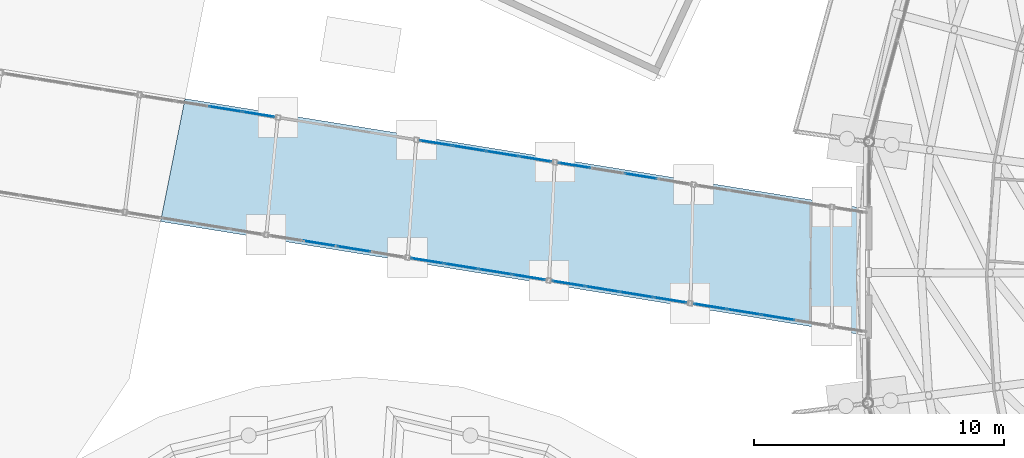
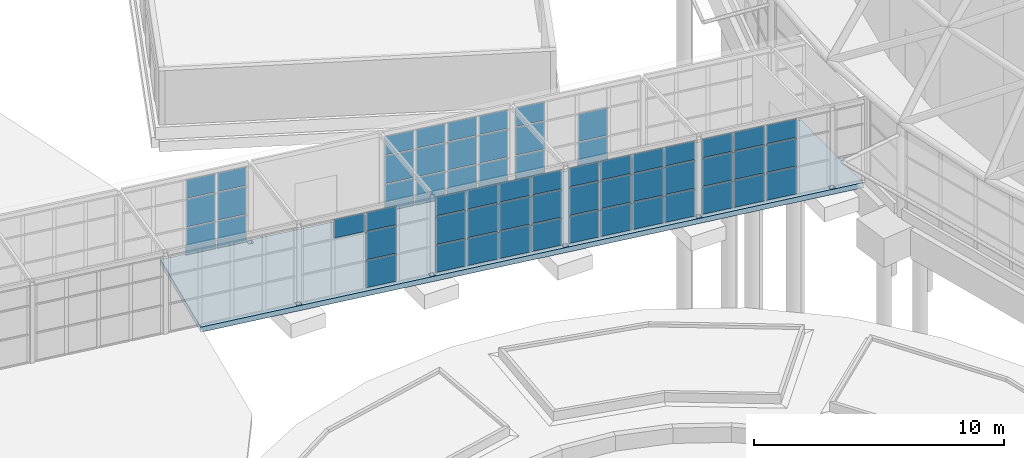
# One storey, part 137 of 226: 60 plates, 1 slab, 7 elements without a shape of their own.
"""IFC4 building model written with IfcOpenShell, lengths in metres."""

from ifc_helpers import new_model, si_unit, direction, frame, origin, origin_2d, place, context, subcontext, project, spatial, polyline, rectangle, outline, extrude, material, layer, layer_set, type_object, element, aggregate, save


model = new_model("IFC4")

# Units and contexts
model_context = context("Model", 3, precision=1e-05, world=origin(), true_north=direction((0.0, 1.0)))
body_context = subcontext(model_context, "Body", "Model", "MODEL_VIEW")
ifc_project = project(units=[si_unit("LENGTHUNIT", "METRE"), si_unit("AREAUNIT", "SQUARE_METRE"), si_unit("VOLUMEUNIT", "CUBIC_METRE"), si_unit("PLANEANGLEUNIT", "RADIAN"), si_unit("MASSUNIT", "GRAM", prefix="KILO")], contexts=[model_context])

# Site, building, storey
site_placement = place(None, origin())
site = spatial("IfcSite", under=ifc_project, at=site_placement, CompositionType="ELEMENT")
building_placement = place(site_placement, origin())
building = spatial("IfcBuilding", under=site, at=building_placement, Name="Ceibo Conservatory and Research Tower", CompositionType="ELEMENT")
storey_placement = place(building_placement, origin())
storey = spatial("IfcBuildingStorey", under=building, at=storey_placement, Name="L00", CompositionType="ELEMENT", Elevation=0.0)

# Curtain wall, plates
ifc_material_1 = material(Name="Aluminium and glass", Category="aluminium")
curtain_wall_type = type_object("IfcCurtainWallType", Name="Gallery curtain wall", PredefinedType="NOTDEFINED", material=ifc_material_1)
curtain_wall_1_placement = place(storey_placement, origin())
curtain_wall_1 = element("IfcCurtainWall", 1, at=curtain_wall_1_placement, inside=storey, type_object=curtain_wall_type, Name="Gallery curtain wall A-RT-CWN02", PredefinedType="NOTDEFINED")
ifc_material_2 = material(Name="Laminated glass", Category="glass")
ifc_layer_1 = layer(ifc_material_2, 0.028076171875)
ifc_layer_set_1 = layer_set([ifc_layer_1], Name="Laminated glass")
plate_type = type_object("IfcPlateType", Name="Gallery glass 28", PredefinedType="CURTAIN_PANEL", material=ifc_layer_set_1)
plate_1_placement = place(storey_placement, frame((112.709716796875, 106.379150390625, 0.06005859375), z_axis=(0.0, 0.0, 1.0), x_axis=(-0.987215515464, 0.159391110254, 0.0)))
plate_1 = element("IfcPlate", 2, at=plate_1_placement, type_object=plate_type, Name="A-RT-CWN02 panel 2.1", PredefinedType="CURTAIN_PANEL", context=body_context, shape_type="SweptSolid", body=[
    extrude(rectangle(XDim=1.319580078125, YDim=0.028076171875, at=origin_2d()), origin(), (0.0, 0.0, 1.0), 1.31005859375),
])
plate_2_placement = place(storey_placement, frame((112.709716796875, 106.379150390625, 1.43017578125), z_axis=(0.0, 0.0, 1.0), x_axis=(-0.987215515464, 0.159391110254, 0.0)))
plate_2 = element("IfcPlate", 3, at=plate_2_placement, type_object=plate_type, Name="A-RT-CWN02 panel 2.2", PredefinedType="CURTAIN_PANEL", context=body_context, shape_type="SweptSolid", body=[
    extrude(rectangle(XDim=1.319580078125, YDim=0.028076171875, at=origin_2d()), origin(), (0.0, 0.0, 1.0), 1.340087890625),
])
plate_3_placement = place(storey_placement, frame((112.709716796875, 106.379150390625, 2.830078125), z_axis=(0.0, 0.0, 1.0), x_axis=(-0.987215515464, 0.159391110254, 0.0)))
plate_3 = element("IfcPlate", 4, at=plate_3_placement, type_object=plate_type, Name="A-RT-CWN02 panel 2.3", PredefinedType="CURTAIN_PANEL", context=body_context, shape_type="SweptSolid", body=[
    extrude(rectangle(XDim=1.319580078125, YDim=0.028076171875, at=origin_2d()), origin(), (0.0, 0.0, 1.0), 0.909912109375),
])
plate_4_placement = place(storey_placement, frame((111.347900390625, 106.59912109375, 0.06005859375), z_axis=(0.0, 0.0, 1.0), x_axis=(-0.987215515464, 0.159391110254, 0.0)))
plate_4 = element("IfcPlate", 5, at=plate_4_placement, type_object=plate_type, Name="A-RT-CWN02 panel 3.1", PredefinedType="CURTAIN_PANEL", context=body_context, shape_type="SweptSolid", body=[
    extrude(rectangle(XDim=1.319580078125, YDim=0.028076171875, at=origin_2d()), origin(), (0.0, 0.0, 1.0), 1.31005859375),
])
plate_5_placement = place(storey_placement, frame((111.347900390625, 106.59912109375, 1.43017578125), z_axis=(0.0, 0.0, 1.0), x_axis=(-0.987215515464, 0.159391110254, 0.0)))
plate_5 = element("IfcPlate", 6, at=plate_5_placement, type_object=plate_type, Name="A-RT-CWN02 panel 3.2", PredefinedType="CURTAIN_PANEL", context=body_context, shape_type="SweptSolid", body=[
    extrude(rectangle(XDim=1.319580078125, YDim=0.028076171875, at=origin_2d()), origin(), (0.0, 0.0, 1.0), 1.340087890625),
])
plate_6_placement = place(storey_placement, frame((111.347900390625, 106.59912109375, 2.830078125), z_axis=(0.0, 0.0, 1.0), x_axis=(-0.987215515464, 0.159391110254, 0.0)))
plate_6 = element("IfcPlate", 7, at=plate_6_placement, type_object=plate_type, Name="A-RT-CWN02 panel 3.3", PredefinedType="CURTAIN_PANEL", context=body_context, shape_type="SweptSolid", body=[
    extrude(rectangle(XDim=1.319580078125, YDim=0.028076171875, at=origin_2d()), origin(), (0.0, 0.0, 1.0), 0.909912109375),
])
plate_7_placement = place(storey_placement, frame((110.000732421875, 106.81640625, 0.06005859375), z_axis=(0.0, 0.0, 1.0), x_axis=(-0.987215515464, 0.159391110254, 0.0)))
plate_7 = element("IfcPlate", 8, at=plate_7_placement, type_object=plate_type, Name="A-RT-CWN02 panel 4.1", PredefinedType="CURTAIN_PANEL", context=body_context, shape_type="SweptSolid", body=[
    extrude(rectangle(XDim=1.28955078125, YDim=0.028076171875, at=origin_2d()), origin(), (0.0, 0.0, 1.0), 1.31005859375),
])
plate_8_placement = place(storey_placement, frame((110.000732421875, 106.81640625, 1.43017578125), z_axis=(0.0, 0.0, 1.0), x_axis=(-0.987215515464, 0.159391110254, 0.0)))
plate_8 = element("IfcPlate", 9, at=plate_8_placement, type_object=plate_type, Name="A-RT-CWN02 panel 4.2", PredefinedType="CURTAIN_PANEL", context=body_context, shape_type="SweptSolid", body=[
    extrude(rectangle(XDim=1.28955078125, YDim=0.028076171875, at=origin_2d()), origin(), (0.0, 0.0, 1.0), 1.340087890625),
])
plate_9_placement = place(storey_placement, frame((110.000732421875, 106.81640625, 2.830078125), z_axis=(0.0, 0.0, 1.0), x_axis=(-0.987215515464, 0.159391110254, 0.0)))
plate_9 = element("IfcPlate", 10, at=plate_9_placement, type_object=plate_type, Name="A-RT-CWN02 panel 4.3", PredefinedType="CURTAIN_PANEL", context=body_context, shape_type="SweptSolid", body=[
    extrude(rectangle(XDim=1.28955078125, YDim=0.028076171875, at=origin_2d()), origin(), (0.0, 0.0, 1.0), 0.909912109375),
])
aggregate(curtain_wall_1, [plate_1, plate_2, plate_3, plate_4, plate_5, plate_6, plate_7, plate_8, plate_9])

curtain_wall_2_placement = place(storey_placement, origin())
curtain_wall_2 = element("IfcCurtainWall", 11, at=curtain_wall_2_placement, inside=storey, type_object=curtain_wall_type, Name="Gallery curtain wall A-RT-CWN03", PredefinedType="NOTDEFINED")
plate_10_placement = place(storey_placement, frame((108.411865234375, 107.072998046875, 0.06005859375), z_axis=(0.0, 0.0, 1.0), x_axis=(-0.987215515464, 0.159391110254, 0.0)))
plate_10 = element("IfcPlate", 12, at=plate_10_placement, type_object=plate_type, Name="A-RT-CWN03 panel 1.1", PredefinedType="CURTAIN_PANEL", context=body_context, shape_type="SweptSolid", body=[
    extrude(rectangle(XDim=1.28955078125, YDim=0.028076171875, at=origin_2d()), origin(), (0.0, 0.0, 1.0), 1.31005859375),
])
plate_11_placement = place(storey_placement, frame((108.411865234375, 107.072998046875, 1.43017578125), z_axis=(0.0, 0.0, 1.0), x_axis=(-0.987215515464, 0.159391110254, 0.0)))
plate_11 = element("IfcPlate", 13, at=plate_11_placement, type_object=plate_type, Name="A-RT-CWN03 panel 1.2", PredefinedType="CURTAIN_PANEL", context=body_context, shape_type="SweptSolid", body=[
    extrude(rectangle(XDim=1.28955078125, YDim=0.028076171875, at=origin_2d()), origin(), (0.0, 0.0, 1.0), 1.340087890625),
])
plate_12_placement = place(storey_placement, frame((108.411865234375, 107.072998046875, 2.830078125), z_axis=(0.0, 0.0, 1.0), x_axis=(-0.987215515464, 0.159391110254, 0.0)))
plate_12 = element("IfcPlate", 14, at=plate_12_placement, type_object=plate_type, Name="A-RT-CWN03 panel 1.3", PredefinedType="CURTAIN_PANEL", context=body_context, shape_type="SweptSolid", body=[
    extrude(rectangle(XDim=1.28955078125, YDim=0.028076171875, at=origin_2d()), origin(), (0.0, 0.0, 1.0), 0.909912109375),
])
plate_13_placement = place(storey_placement, frame((107.064697265625, 107.29052734375, 0.06005859375), z_axis=(0.0, 0.0, 1.0), x_axis=(-0.987215515464, 0.159391110254, 0.0)))
plate_13 = element("IfcPlate", 15, at=plate_13_placement, type_object=plate_type, Name="A-RT-CWN03 panel 2.1", PredefinedType="CURTAIN_PANEL", context=body_context, shape_type="SweptSolid", body=[
    extrude(rectangle(XDim=1.319580078125, YDim=0.028076171875, at=origin_2d()), origin(), (0.0, 0.0, 1.0), 1.31005859375),
])
plate_14_placement = place(storey_placement, frame((107.064697265625, 107.29052734375, 1.43017578125), z_axis=(0.0, 0.0, 1.0), x_axis=(-0.987215515464, 0.159391110254, 0.0)))
plate_14 = element("IfcPlate", 16, at=plate_14_placement, type_object=plate_type, Name="A-RT-CWN03 panel 2.2", PredefinedType="CURTAIN_PANEL", context=body_context, shape_type="SweptSolid", body=[
    extrude(rectangle(XDim=1.319580078125, YDim=0.028076171875, at=origin_2d()), origin(), (0.0, 0.0, 1.0), 1.340087890625),
])
plate_15_placement = place(storey_placement, frame((107.064697265625, 107.29052734375, 2.830078125), z_axis=(0.0, 0.0, 1.0), x_axis=(-0.987215515464, 0.159391110254, 0.0)))
plate_15 = element("IfcPlate", 17, at=plate_15_placement, type_object=plate_type, Name="A-RT-CWN03 panel 2.3", PredefinedType="CURTAIN_PANEL", context=body_context, shape_type="SweptSolid", body=[
    extrude(rectangle(XDim=1.319580078125, YDim=0.028076171875, at=origin_2d()), origin(), (0.0, 0.0, 1.0), 0.909912109375),
])
plate_16_placement = place(storey_placement, frame((105.702880859375, 107.510498046875, 0.06005859375), z_axis=(0.0, 0.0, 1.0), x_axis=(-0.987215515464, 0.159391110254, 0.0)))
plate_16 = element("IfcPlate", 18, at=plate_16_placement, type_object=plate_type, Name="A-RT-CWN03 panel 3.1", PredefinedType="CURTAIN_PANEL", context=body_context, shape_type="SweptSolid", body=[
    extrude(rectangle(XDim=1.319580078125, YDim=0.028076171875, at=origin_2d()), origin(), (0.0, 0.0, 1.0), 1.31005859375),
])
plate_17_placement = place(storey_placement, frame((105.702880859375, 107.510498046875, 1.43017578125), z_axis=(0.0, 0.0, 1.0), x_axis=(-0.987215515464, 0.159391110254, 0.0)))
plate_17 = element("IfcPlate", 19, at=plate_17_placement, type_object=plate_type, Name="A-RT-CWN03 panel 3.2", PredefinedType="CURTAIN_PANEL", context=body_context, shape_type="SweptSolid", body=[
    extrude(rectangle(XDim=1.319580078125, YDim=0.028076171875, at=origin_2d()), origin(), (0.0, 0.0, 1.0), 1.340087890625),
])
plate_18_placement = place(storey_placement, frame((105.702880859375, 107.510498046875, 2.830078125), z_axis=(0.0, 0.0, 1.0), x_axis=(-0.987215515464, 0.159391110254, 0.0)))
plate_18 = element("IfcPlate", 20, at=plate_18_placement, type_object=plate_type, Name="A-RT-CWN03 panel 3.3", PredefinedType="CURTAIN_PANEL", context=body_context, shape_type="SweptSolid", body=[
    extrude(rectangle(XDim=1.319580078125, YDim=0.028076171875, at=origin_2d()), origin(), (0.0, 0.0, 1.0), 0.909912109375),
])
plate_19_placement = place(storey_placement, frame((104.355712890625, 107.72802734375, 0.06005859375), z_axis=(0.0, 0.0, 1.0), x_axis=(-0.987215515464, 0.159391110254, 0.0)))
plate_19 = element("IfcPlate", 21, at=plate_19_placement, type_object=plate_type, Name="A-RT-CWN03 panel 4.1", PredefinedType="CURTAIN_PANEL", context=body_context, shape_type="SweptSolid", body=[
    extrude(rectangle(XDim=1.28955078125, YDim=0.028076171875, at=origin_2d()), origin(), (0.0, 0.0, 1.0), 1.31005859375),
])
plate_20_placement = place(storey_placement, frame((104.355712890625, 107.72802734375, 1.43017578125), z_axis=(0.0, 0.0, 1.0), x_axis=(-0.987215515464, 0.159391110254, 0.0)))
plate_20 = element("IfcPlate", 22, at=plate_20_placement, type_object=plate_type, Name="A-RT-CWN03 panel 4.2", PredefinedType="CURTAIN_PANEL", context=body_context, shape_type="SweptSolid", body=[
    extrude(rectangle(XDim=1.28955078125, YDim=0.028076171875, at=origin_2d()), origin(), (0.0, 0.0, 1.0), 1.340087890625),
])
plate_21_placement = place(storey_placement, frame((104.355712890625, 107.72802734375, 2.830078125), z_axis=(0.0, 0.0, 1.0), x_axis=(-0.987215515464, 0.159391110254, 0.0)))
plate_21 = element("IfcPlate", 23, at=plate_21_placement, type_object=plate_type, Name="A-RT-CWN03 panel 4.3", PredefinedType="CURTAIN_PANEL", context=body_context, shape_type="SweptSolid", body=[
    extrude(rectangle(XDim=1.28955078125, YDim=0.028076171875, at=origin_2d()), origin(), (0.0, 0.0, 1.0), 0.909912109375),
])
aggregate(curtain_wall_2, [plate_10, plate_11, plate_12, plate_13, plate_14, plate_15, plate_16, plate_17, plate_18, plate_19, plate_20, plate_21])

curtain_wall_3_placement = place(storey_placement, origin())
curtain_wall_3 = element("IfcCurtainWall", 24, at=curtain_wall_3_placement, inside=storey, type_object=curtain_wall_type, Name="Gallery curtain wall A-RT-CWN04", PredefinedType="NOTDEFINED")
plate_22_placement = place(storey_placement, frame((102.766845703125, 107.984375, 0.06005859375), z_axis=(0.0, 0.0, 1.0), x_axis=(-0.987215515464, 0.159391110254, 0.0)))
plate_22 = element("IfcPlate", 25, at=plate_22_placement, type_object=plate_type, Name="A-RT-CWN04 panel 1.1", PredefinedType="CURTAIN_PANEL", context=body_context, shape_type="SweptSolid", body=[
    extrude(rectangle(XDim=1.28955078125, YDim=0.028076171875, at=origin_2d()), origin(), (0.0, 0.0, 1.0), 1.31005859375),
])
plate_23_placement = place(storey_placement, frame((102.766845703125, 107.984375, 1.43017578125), z_axis=(0.0, 0.0, 1.0), x_axis=(-0.987215515464, 0.159391110254, 0.0)))
plate_23 = element("IfcPlate", 26, at=plate_23_placement, type_object=plate_type, Name="A-RT-CWN04 panel 1.2", PredefinedType="CURTAIN_PANEL", context=body_context, shape_type="SweptSolid", body=[
    extrude(rectangle(XDim=1.28955078125, YDim=0.028076171875, at=origin_2d()), origin(), (0.0, 0.0, 1.0), 1.340087890625),
])
plate_24_placement = place(storey_placement, frame((102.766845703125, 107.984375, 2.830078125), z_axis=(0.0, 0.0, 1.0), x_axis=(-0.987215515464, 0.159391110254, 0.0)))
plate_24 = element("IfcPlate", 27, at=plate_24_placement, type_object=plate_type, Name="A-RT-CWN04 panel 1.3", PredefinedType="CURTAIN_PANEL", context=body_context, shape_type="SweptSolid", body=[
    extrude(rectangle(XDim=1.28955078125, YDim=0.028076171875, at=origin_2d()), origin(), (0.0, 0.0, 1.0), 0.909912109375),
])
plate_25_placement = place(storey_placement, frame((101.419677734375, 108.201904296875, 0.06005859375), z_axis=(0.0, 0.0, 1.0), x_axis=(-0.987215515464, 0.159391110254, 0.0)))
plate_25 = element("IfcPlate", 28, at=plate_25_placement, type_object=plate_type, Name="A-RT-CWN04 panel 2.1", PredefinedType="CURTAIN_PANEL", context=body_context, shape_type="SweptSolid", body=[
    extrude(rectangle(XDim=1.319580078125, YDim=0.028076171875, at=origin_2d()), origin(), (0.0, 0.0, 1.0), 1.31005859375),
])
plate_26_placement = place(storey_placement, frame((101.419677734375, 108.201904296875, 1.43017578125), z_axis=(0.0, 0.0, 1.0), x_axis=(-0.987215515464, 0.159391110254, 0.0)))
plate_26 = element("IfcPlate", 29, at=plate_26_placement, type_object=plate_type, Name="A-RT-CWN04 panel 2.2", PredefinedType="CURTAIN_PANEL", context=body_context, shape_type="SweptSolid", body=[
    extrude(rectangle(XDim=1.319580078125, YDim=0.028076171875, at=origin_2d()), origin(), (0.0, 0.0, 1.0), 1.340087890625),
])
plate_27_placement = place(storey_placement, frame((101.419677734375, 108.201904296875, 2.830078125), z_axis=(0.0, 0.0, 1.0), x_axis=(-0.987215515464, 0.159391110254, 0.0)))
plate_27 = element("IfcPlate", 30, at=plate_27_placement, type_object=plate_type, Name="A-RT-CWN04 panel 2.3", PredefinedType="CURTAIN_PANEL", context=body_context, shape_type="SweptSolid", body=[
    extrude(rectangle(XDim=1.319580078125, YDim=0.028076171875, at=origin_2d()), origin(), (0.0, 0.0, 1.0), 0.909912109375),
])
plate_28_placement = place(storey_placement, frame((100.057861328125, 108.421875, 0.06005859375), z_axis=(0.0, 0.0, 1.0), x_axis=(-0.987215515464, 0.159391110254, 0.0)))
plate_28 = element("IfcPlate", 31, at=plate_28_placement, type_object=plate_type, Name="A-RT-CWN04 panel 3.1", PredefinedType="CURTAIN_PANEL", context=body_context, shape_type="SweptSolid", body=[
    extrude(rectangle(XDim=1.319580078125, YDim=0.028076171875, at=origin_2d()), origin(), (0.0, 0.0, 1.0), 1.31005859375),
])
plate_29_placement = place(storey_placement, frame((100.057861328125, 108.421875, 1.43017578125), z_axis=(0.0, 0.0, 1.0), x_axis=(-0.987215515464, 0.159391110254, 0.0)))
plate_29 = element("IfcPlate", 32, at=plate_29_placement, type_object=plate_type, Name="A-RT-CWN04 panel 3.2", PredefinedType="CURTAIN_PANEL", context=body_context, shape_type="SweptSolid", body=[
    extrude(rectangle(XDim=1.319580078125, YDim=0.028076171875, at=origin_2d()), origin(), (0.0, 0.0, 1.0), 1.340087890625),
])
plate_30_placement = place(storey_placement, frame((100.057861328125, 108.421875, 2.830078125), z_axis=(0.0, 0.0, 1.0), x_axis=(-0.987215515464, 0.159391110254, 0.0)))
plate_30 = element("IfcPlate", 33, at=plate_30_placement, type_object=plate_type, Name="A-RT-CWN04 panel 3.3", PredefinedType="CURTAIN_PANEL", context=body_context, shape_type="SweptSolid", body=[
    extrude(rectangle(XDim=1.319580078125, YDim=0.028076171875, at=origin_2d()), origin(), (0.0, 0.0, 1.0), 0.909912109375),
])
plate_31_placement = place(storey_placement, frame((98.710693359375, 108.639404296875, 0.06005859375), z_axis=(0.0, 0.0, 1.0), x_axis=(-0.987215515464, 0.159391110254, 0.0)))
plate_31 = element("IfcPlate", 34, at=plate_31_placement, type_object=plate_type, Name="A-RT-CWN04 panel 4.1", PredefinedType="CURTAIN_PANEL", context=body_context, shape_type="SweptSolid", body=[
    extrude(rectangle(XDim=1.28955078125, YDim=0.028076171875, at=origin_2d()), origin(), (0.0, 0.0, 1.0), 1.31005859375),
])
plate_32_placement = place(storey_placement, frame((98.710693359375, 108.639404296875, 1.43017578125), z_axis=(0.0, 0.0, 1.0), x_axis=(-0.987215515464, 0.159391110254, 0.0)))
plate_32 = element("IfcPlate", 35, at=plate_32_placement, type_object=plate_type, Name="A-RT-CWN04 panel 4.2", PredefinedType="CURTAIN_PANEL", context=body_context, shape_type="SweptSolid", body=[
    extrude(rectangle(XDim=1.28955078125, YDim=0.028076171875, at=origin_2d()), origin(), (0.0, 0.0, 1.0), 1.340087890625),
])
plate_33_placement = place(storey_placement, frame((98.710693359375, 108.639404296875, 2.830078125), z_axis=(0.0, 0.0, 1.0), x_axis=(-0.987215515464, 0.159391110254, 0.0)))
plate_33 = element("IfcPlate", 36, at=plate_33_placement, type_object=plate_type, Name="A-RT-CWN04 panel 4.3", PredefinedType="CURTAIN_PANEL", context=body_context, shape_type="SweptSolid", body=[
    extrude(rectangle(XDim=1.28955078125, YDim=0.028076171875, at=origin_2d()), origin(), (0.0, 0.0, 1.0), 0.909912109375),
])
aggregate(curtain_wall_3, [plate_22, plate_23, plate_24, plate_25, plate_26, plate_27, plate_28, plate_29, plate_30, plate_31, plate_32, plate_33])

curtain_wall_4_placement = place(storey_placement, origin())
curtain_wall_4 = element("IfcCurtainWall", 37, at=curtain_wall_4_placement, inside=storey, type_object=curtain_wall_type, Name="Gallery curtain wall A-RT-CWN05", PredefinedType="NOTDEFINED")
plate_34_placement = place(storey_placement, frame((95.774658203125, 109.11328125, 0.06005859375), z_axis=(0.0, 0.0, 1.0), x_axis=(-0.987215515464, 0.159391110254, 0.0)))
plate_34 = element("IfcPlate", 38, at=plate_34_placement, type_object=plate_type, Name="A-RT-CWN05 panel 2.1", PredefinedType="CURTAIN_PANEL", context=body_context, shape_type="SweptSolid", body=[
    extrude(rectangle(XDim=1.319580078125, YDim=0.028076171875, at=origin_2d()), origin(), (0.0, 0.0, 1.0), 1.31005859375),
])
plate_35_placement = place(storey_placement, frame((95.774658203125, 109.11328125, 1.43017578125), z_axis=(0.0, 0.0, 1.0), x_axis=(-0.987215515464, 0.159391110254, 0.0)))
plate_35 = element("IfcPlate", 39, at=plate_35_placement, type_object=plate_type, Name="A-RT-CWN05 panel 2.2", PredefinedType="CURTAIN_PANEL", context=body_context, shape_type="SweptSolid", body=[
    extrude(rectangle(XDim=1.319580078125, YDim=0.028076171875, at=origin_2d()), origin(), (0.0, 0.0, 1.0), 1.340087890625),
])
plate_36_placement = place(storey_placement, frame((95.774658203125, 109.11328125, 2.830078125), z_axis=(0.0, 0.0, 1.0), x_axis=(-0.987215515464, 0.159391110254, 0.0)))
plate_36 = element("IfcPlate", 40, at=plate_36_placement, type_object=plate_type, Name="A-RT-CWN05 panel 2.3", PredefinedType="CURTAIN_PANEL", context=body_context, shape_type="SweptSolid", body=[
    extrude(rectangle(XDim=1.319580078125, YDim=0.028076171875, at=origin_2d()), origin(), (0.0, 0.0, 1.0), 0.909912109375),
])
plate_37_placement = place(storey_placement, frame((94.412841796875, 109.333251953125, 2.830078125), z_axis=(0.0, 0.0, 1.0), x_axis=(-0.987215515464, 0.159391110254, 0.0)))
plate_37 = element("IfcPlate", 41, at=plate_37_placement, type_object=plate_type, Name="A-RT-CWN05 panel 3.3", PredefinedType="CURTAIN_PANEL", context=body_context, shape_type="SweptSolid", body=[
    extrude(rectangle(XDim=1.319580078125, YDim=0.028076171875, at=origin_2d()), origin(), (0.0, 0.0, 1.0), 0.909912109375),
])
aggregate(curtain_wall_4, [plate_34, plate_35, plate_36, plate_37])

curtain_wall_5_placement = place(storey_placement, origin())
curtain_wall_5 = element("IfcCurtainWall", 42, at=curtain_wall_5_placement, inside=storey, type_object=curtain_wall_type, Name="Gallery curtain wall A-RT-CWS03", PredefinedType="NOTDEFINED")
plate_38_placement = place(storey_placement, frame((107.23974609375, 112.023193359375, 0.06005859375), z_axis=(0.0, 0.0, 1.0), x_axis=(-0.987215515464, 0.159391110254, 0.0)))
plate_38 = element("IfcPlate", 43, at=plate_38_placement, type_object=plate_type, Name="A-RT-CWS03 panel 2.1", PredefinedType="CURTAIN_PANEL", context=body_context, shape_type="SweptSolid", body=[
    extrude(rectangle(XDim=1.291259765625, YDim=0.028076171875, at=origin_2d()), origin(), (0.0, 0.0, 1.0), 1.31005859375),
])
plate_39_placement = place(storey_placement, frame((107.23974609375, 112.023193359375, 1.43017578125), z_axis=(0.0, 0.0, 1.0), x_axis=(-0.987215515464, 0.159391110254, 0.0)))
plate_39 = element("IfcPlate", 44, at=plate_39_placement, type_object=plate_type, Name="A-RT-CWS03 panel 2.2", PredefinedType="CURTAIN_PANEL", context=body_context, shape_type="SweptSolid", body=[
    extrude(rectangle(XDim=1.291259765625, YDim=0.028076171875, at=origin_2d()), origin(), (0.0, 0.0, 1.0), 1.340087890625),
])
plate_40_placement = place(storey_placement, frame((104.586669921875, 112.451416015625, 0.06005859375), z_axis=(0.0, 0.0, 1.0), x_axis=(-0.987215515464, 0.159391110254, 0.0)))
plate_40 = element("IfcPlate", 45, at=plate_40_placement, type_object=plate_type, Name="A-RT-CWS03 panel 4.1", PredefinedType="CURTAIN_PANEL", context=body_context, shape_type="SweptSolid", body=[
    extrude(rectangle(XDim=1.26123046875, YDim=0.028076171875, at=origin_2d()), origin(), (0.0, 0.0, 1.0), 1.31005859375),
])
plate_41_placement = place(storey_placement, frame((104.586669921875, 112.451416015625, 1.43017578125), z_axis=(0.0, 0.0, 1.0), x_axis=(-0.987215515464, 0.159391110254, 0.0)))
plate_41 = element("IfcPlate", 46, at=plate_41_placement, type_object=plate_type, Name="A-RT-CWS03 panel 4.2", PredefinedType="CURTAIN_PANEL", context=body_context, shape_type="SweptSolid", body=[
    extrude(rectangle(XDim=1.26123046875, YDim=0.028076171875, at=origin_2d()), origin(), (0.0, 0.0, 1.0), 1.340087890625),
])
plate_42_placement = place(storey_placement, frame((104.586669921875, 112.451416015625, 2.830078125), z_axis=(0.0, 0.0, 1.0), x_axis=(-0.987215515464, 0.159391110254, 0.0)))
plate_42 = element("IfcPlate", 47, at=plate_42_placement, type_object=plate_type, Name="A-RT-CWS03 panel 4.3", PredefinedType="CURTAIN_PANEL", context=body_context, shape_type="SweptSolid", body=[
    extrude(rectangle(XDim=1.26123046875, YDim=0.028076171875, at=origin_2d()), origin(), (0.0, 0.0, 1.0), 0.909912109375),
])
aggregate(curtain_wall_5, [plate_38, plate_39, plate_40, plate_41, plate_42])

curtain_wall_6_placement = place(storey_placement, origin())
curtain_wall_6 = element("IfcCurtainWall", 48, at=curtain_wall_6_placement, inside=storey, type_object=curtain_wall_type, Name="Gallery curtain wall A-RT-CWS04", PredefinedType="NOTDEFINED")
plate_43_placement = place(storey_placement, frame((103.02587890625, 112.70361328125, 0.06005859375), z_axis=(0.0, 0.0, 1.0), x_axis=(-0.987215515464, 0.159391110254, 0.0)))
plate_43 = element("IfcPlate", 49, at=plate_43_placement, type_object=plate_type, Name="A-RT-CWS04 panel 1.1", PredefinedType="CURTAIN_PANEL", context=body_context, shape_type="SweptSolid", body=[
    extrude(rectangle(XDim=1.26123046875, YDim=0.028076171875, at=origin_2d()), origin(), (0.0, 0.0, 1.0), 1.31005859375),
])
plate_44_placement = place(storey_placement, frame((103.02587890625, 112.70361328125, 1.43017578125), z_axis=(0.0, 0.0, 1.0), x_axis=(-0.987215515464, 0.159391110254, 0.0)))
plate_44 = element("IfcPlate", 50, at=plate_44_placement, type_object=plate_type, Name="A-RT-CWS04 panel 1.2", PredefinedType="CURTAIN_PANEL", context=body_context, shape_type="SweptSolid", body=[
    extrude(rectangle(XDim=1.26123046875, YDim=0.028076171875, at=origin_2d()), origin(), (0.0, 0.0, 1.0), 1.340087890625),
])
plate_45_placement = place(storey_placement, frame((103.02587890625, 112.70361328125, 2.830078125), z_axis=(0.0, 0.0, 1.0), x_axis=(-0.987215515464, 0.159391110254, 0.0)))
plate_45 = element("IfcPlate", 51, at=plate_45_placement, type_object=plate_type, Name="A-RT-CWS04 panel 1.3", PredefinedType="CURTAIN_PANEL", context=body_context, shape_type="SweptSolid", body=[
    extrude(rectangle(XDim=1.26123046875, YDim=0.028076171875, at=origin_2d()), origin(), (0.0, 0.0, 1.0), 0.909912109375),
])
plate_46_placement = place(storey_placement, frame((101.706787109375, 112.91650390625, 0.06005859375), z_axis=(0.0, 0.0, 1.0), x_axis=(-0.987215515464, 0.159391110254, 0.0)))
plate_46 = element("IfcPlate", 52, at=plate_46_placement, type_object=plate_type, Name="A-RT-CWS04 panel 2.1", PredefinedType="CURTAIN_PANEL", context=body_context, shape_type="SweptSolid", body=[
    extrude(rectangle(XDim=1.291259765625, YDim=0.028076171875, at=origin_2d()), origin(), (0.0, 0.0, 1.0), 1.31005859375),
])
plate_47_placement = place(storey_placement, frame((101.706787109375, 112.91650390625, 1.43017578125), z_axis=(0.0, 0.0, 1.0), x_axis=(-0.987215515464, 0.159391110254, 0.0)))
plate_47 = element("IfcPlate", 53, at=plate_47_placement, type_object=plate_type, Name="A-RT-CWS04 panel 2.2", PredefinedType="CURTAIN_PANEL", context=body_context, shape_type="SweptSolid", body=[
    extrude(rectangle(XDim=1.291259765625, YDim=0.028076171875, at=origin_2d()), origin(), (0.0, 0.0, 1.0), 1.340087890625),
])
plate_48_placement = place(storey_placement, frame((101.706787109375, 112.91650390625, 2.830078125), z_axis=(0.0, 0.0, 1.0), x_axis=(-0.987215515464, 0.159391110254, 0.0)))
plate_48 = element("IfcPlate", 54, at=plate_48_placement, type_object=plate_type, Name="A-RT-CWS04 panel 2.3", PredefinedType="CURTAIN_PANEL", context=body_context, shape_type="SweptSolid", body=[
    extrude(rectangle(XDim=1.291259765625, YDim=0.028076171875, at=origin_2d()), origin(), (0.0, 0.0, 1.0), 0.909912109375),
])
plate_49_placement = place(storey_placement, frame((100.372802734375, 113.1318359375, 0.06005859375), z_axis=(0.0, 0.0, 1.0), x_axis=(-0.987215515464, 0.159391110254, 0.0)))
plate_49 = element("IfcPlate", 55, at=plate_49_placement, type_object=plate_type, Name="A-RT-CWS04 panel 3.1", PredefinedType="CURTAIN_PANEL", context=body_context, shape_type="SweptSolid", body=[
    extrude(rectangle(XDim=1.291259765625, YDim=0.028076171875, at=origin_2d()), origin(), (0.0, 0.0, 1.0), 1.31005859375),
])
plate_50_placement = place(storey_placement, frame((100.372802734375, 113.1318359375, 1.43017578125), z_axis=(0.0, 0.0, 1.0), x_axis=(-0.987215515464, 0.159391110254, 0.0)))
plate_50 = element("IfcPlate", 56, at=plate_50_placement, type_object=plate_type, Name="A-RT-CWS04 panel 3.2", PredefinedType="CURTAIN_PANEL", context=body_context, shape_type="SweptSolid", body=[
    extrude(rectangle(XDim=1.291259765625, YDim=0.028076171875, at=origin_2d()), origin(), (0.0, 0.0, 1.0), 1.340087890625),
])
plate_51_placement = place(storey_placement, frame((100.372802734375, 113.1318359375, 2.830078125), z_axis=(0.0, 0.0, 1.0), x_axis=(-0.987215515464, 0.159391110254, 0.0)))
plate_51 = element("IfcPlate", 57, at=plate_51_placement, type_object=plate_type, Name="A-RT-CWS04 panel 3.3", PredefinedType="CURTAIN_PANEL", context=body_context, shape_type="SweptSolid", body=[
    extrude(rectangle(XDim=1.291259765625, YDim=0.028076171875, at=origin_2d()), origin(), (0.0, 0.0, 1.0), 0.909912109375),
])
plate_52_placement = place(storey_placement, frame((99.0537109375, 113.3447265625, 0.06005859375), z_axis=(0.0, 0.0, 1.0), x_axis=(-0.987215515464, 0.159391110254, 0.0)))
plate_52 = element("IfcPlate", 58, at=plate_52_placement, type_object=plate_type, Name="A-RT-CWS04 panel 4.1", PredefinedType="CURTAIN_PANEL", context=body_context, shape_type="SweptSolid", body=[
    extrude(rectangle(XDim=1.26123046875, YDim=0.028076171875, at=origin_2d()), origin(), (0.0, 0.0, 1.0), 1.31005859375),
])
plate_53_placement = place(storey_placement, frame((99.0537109375, 113.3447265625, 1.43017578125), z_axis=(0.0, 0.0, 1.0), x_axis=(-0.987215515464, 0.159391110254, 0.0)))
plate_53 = element("IfcPlate", 59, at=plate_53_placement, type_object=plate_type, Name="A-RT-CWS04 panel 4.2", PredefinedType="CURTAIN_PANEL", context=body_context, shape_type="SweptSolid", body=[
    extrude(rectangle(XDim=1.26123046875, YDim=0.028076171875, at=origin_2d()), origin(), (0.0, 0.0, 1.0), 1.340087890625),
])
plate_54_placement = place(storey_placement, frame((99.0537109375, 113.3447265625, 2.830078125), z_axis=(0.0, 0.0, 1.0), x_axis=(-0.987215515464, 0.159391110254, 0.0)))
plate_54 = element("IfcPlate", 60, at=plate_54_placement, type_object=plate_type, Name="A-RT-CWS04 panel 4.3", PredefinedType="CURTAIN_PANEL", context=body_context, shape_type="SweptSolid", body=[
    extrude(rectangle(XDim=1.26123046875, YDim=0.028076171875, at=origin_2d()), origin(), (0.0, 0.0, 1.0), 0.909912109375),
])
aggregate(curtain_wall_6, [plate_43, plate_44, plate_45, plate_46, plate_47, plate_48, plate_49, plate_50, plate_51, plate_52, plate_53, plate_54])

curtain_wall_7_placement = place(storey_placement, origin())
curtain_wall_7 = element("IfcCurtainWall", 61, at=curtain_wall_7_placement, inside=storey, type_object=curtain_wall_type, Name="Gallery curtain wall A-RT-CWS06", PredefinedType="NOTDEFINED")
plate_55_placement = place(storey_placement, frame((91.9599609375, 114.490234375, 0.06005859375), z_axis=(0.0, 0.0, 1.0), x_axis=(-0.987215515464, 0.159391110254, 0.0)))
plate_55 = element("IfcPlate", 62, at=plate_55_placement, type_object=plate_type, Name="A-RT-CWS06 panel 1.1", PredefinedType="CURTAIN_PANEL", context=body_context, shape_type="SweptSolid", body=[
    extrude(rectangle(XDim=1.26123046875, YDim=0.028076171875, at=origin_2d()), origin(), (0.0, 0.0, 1.0), 1.31005859375),
])
plate_56_placement = place(storey_placement, frame((91.9599609375, 114.490234375, 1.43017578125), z_axis=(0.0, 0.0, 1.0), x_axis=(-0.987215515464, 0.159391110254, 0.0)))
plate_56 = element("IfcPlate", 63, at=plate_56_placement, type_object=plate_type, Name="A-RT-CWS06 panel 1.2", PredefinedType="CURTAIN_PANEL", context=body_context, shape_type="SweptSolid", body=[
    extrude(rectangle(XDim=1.26123046875, YDim=0.028076171875, at=origin_2d()), origin(), (0.0, 0.0, 1.0), 1.340087890625),
])
plate_57_placement = place(storey_placement, frame((91.9599609375, 114.490234375, 2.830078125), z_axis=(0.0, 0.0, 1.0), x_axis=(-0.987215515464, 0.159391110254, 0.0)))
plate_57 = element("IfcPlate", 64, at=plate_57_placement, type_object=plate_type, Name="A-RT-CWS06 panel 1.3", PredefinedType="CURTAIN_PANEL", context=body_context, shape_type="SweptSolid", body=[
    extrude(rectangle(XDim=1.26123046875, YDim=0.028076171875, at=origin_2d()), origin(), (0.0, 0.0, 1.0), 0.909912109375),
])
plate_58_placement = place(storey_placement, frame((90.640869140625, 114.703125, 0.06005859375), z_axis=(0.0, 0.0, 1.0), x_axis=(-0.987215515464, 0.159391110254, 0.0)))
plate_58 = element("IfcPlate", 65, at=plate_58_placement, type_object=plate_type, Name="A-RT-CWS06 panel 2.1", PredefinedType="CURTAIN_PANEL", context=body_context, shape_type="SweptSolid", body=[
    extrude(rectangle(XDim=1.291259765625, YDim=0.028076171875, at=origin_2d()), origin(), (0.0, 0.0, 1.0), 1.31005859375),
])
plate_59_placement = place(storey_placement, frame((90.640869140625, 114.703125, 1.43017578125), z_axis=(0.0, 0.0, 1.0), x_axis=(-0.987215515464, 0.159391110254, 0.0)))
plate_59 = element("IfcPlate", 66, at=plate_59_placement, type_object=plate_type, Name="A-RT-CWS06 panel 2.2", PredefinedType="CURTAIN_PANEL", context=body_context, shape_type="SweptSolid", body=[
    extrude(rectangle(XDim=1.291259765625, YDim=0.028076171875, at=origin_2d()), origin(), (0.0, 0.0, 1.0), 1.340087890625),
])
plate_60_placement = place(storey_placement, frame((90.640869140625, 114.703125, 2.830078125), z_axis=(0.0, 0.0, 1.0), x_axis=(-0.987215515464, 0.159391110254, 0.0)))
plate_60 = element("IfcPlate", 67, at=plate_60_placement, type_object=plate_type, Name="A-RT-CWS06 panel 2.3", PredefinedType="CURTAIN_PANEL", context=body_context, shape_type="SweptSolid", body=[
    extrude(rectangle(XDim=1.291259765625, YDim=0.028076171875, at=origin_2d()), origin(), (0.0, 0.0, 1.0), 0.909912109375),
])
aggregate(curtain_wall_7, [plate_55, plate_56, plate_57, plate_58, plate_59, plate_60])

# Slab
ifc_material_3 = material(Name="Concrete C35/45", Category="concrete")
ifc_layer_2 = layer(ifc_material_3, 0.25)
ifc_layer_set_2 = layer_set([ifc_layer_2], Name="Concrete C35/45")
slab_type = type_object("IfcSlabType", Name="RC gallery floor slab 250", PredefinedType="BASESLAB", material=ifc_layer_set_2)
slab_placement = place(storey_placement, frame((0.0, 0.0, -0.25)))
element("IfcSlab", 68, at=slab_placement, inside=storey, type_object=slab_type, Name="Gallery floor slab A-RT", PredefinedType="BASESLAB", context=body_context, shape_type="SweptSolid", body=[
    extrude(outline(polyline([(116.106689453125, 105.6787109375), (88.05224609375, 110.208251953125), (89.0283203125, 115.115478515625), (116.12890625, 110.739990234375), (116.106689453125, 105.6787109375)]), holes=[polyline([(92.18017578125, 109.80517578125), (92.14501953125, 109.587890625), (92.3623046875, 109.552978515625), (92.3974609375, 109.77001953125), (92.18017578125, 109.80517578125)]), polyline([(114.76025390625, 106.159423828125), (114.725341796875, 105.9423828125), (114.9423828125, 105.9072265625), (114.9775390625, 106.12451171875), (114.76025390625, 106.159423828125)]), polyline([(109.115234375, 107.07080078125), (109.080078125, 106.853759765625), (109.29736328125, 106.818603515625), (109.33251953125, 107.035888671875), (109.115234375, 107.07080078125)]), polyline([(103.47021484375, 107.982421875), (103.435302734375, 107.76513671875), (103.65234375, 107.72998046875), (103.6875, 107.947265625), (103.47021484375, 107.982421875)]), polyline([(97.8251953125, 108.893798828125), (97.790283203125, 108.676513671875), (98.00732421875, 108.6416015625), (98.04248046875, 108.858642578125), (97.8251953125, 108.893798828125)]), polyline([(114.781005859375, 110.9169921875), (114.74609375, 110.69970703125), (114.963134765625, 110.664794921875), (114.998291015625, 110.8818359375), (114.781005859375, 110.9169921875)]), polyline([(109.248046875, 111.810302734375), (109.213134765625, 111.593017578125), (109.430419921875, 111.55810546875), (109.46533203125, 111.775390625), (109.248046875, 111.810302734375)]), polyline([(103.715087890625, 112.70361328125), (103.68017578125, 112.486572265625), (103.897216796875, 112.451416015625), (103.932373046875, 112.668701171875), (103.715087890625, 112.70361328125)]), polyline([(98.3994140625, 113.56201171875), (98.182373046875, 113.596923828125), (98.147216796875, 113.3798828125), (98.364501953125, 113.3447265625), (98.3994140625, 113.56201171875)]), polyline([(92.866455078125, 114.455078125), (92.6494140625, 114.490234375), (92.6142578125, 114.273193359375), (92.83154296875, 114.238037109375), (92.866455078125, 114.455078125)])]), origin(), (0.0, 0.0, 1.0), 0.25),
])

save(model, "model.ifc")
